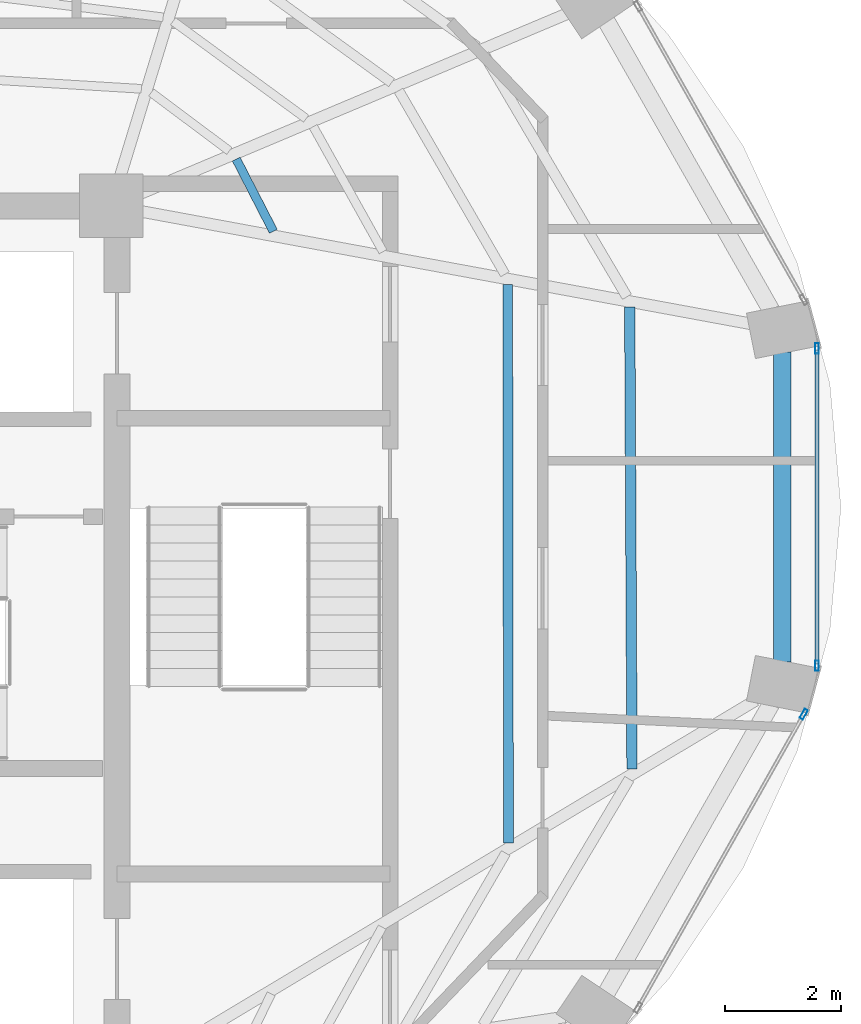
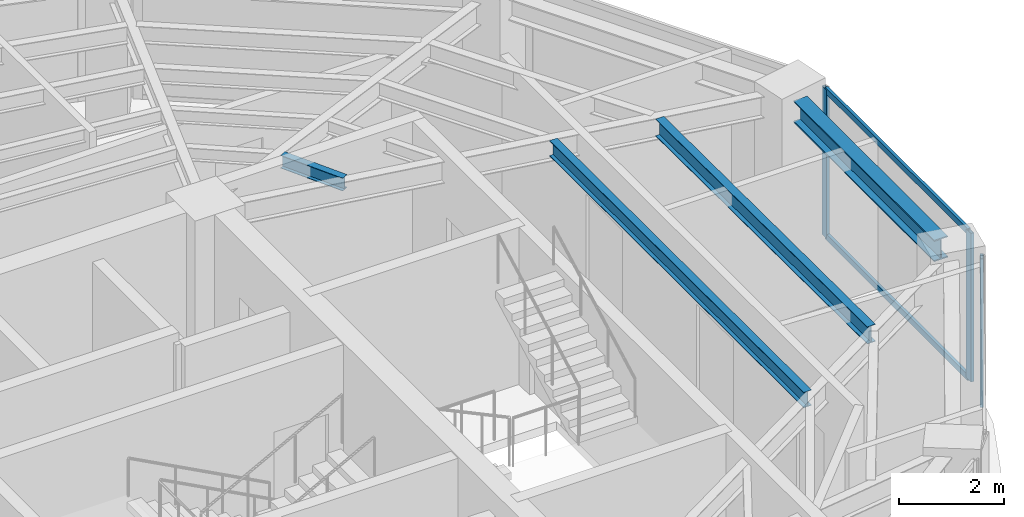
# One storey, part 14 of 23: 5 members, 4 beams, 2 elements without a shape of their own.
"""IFC4 building model written with IfcOpenShell, lengths in metres."""

from ifc_helpers import new_model, si_unit, direction, frame, origin, origin_2d, place, context, subcontext, project, spatial, hollow_rectangle, i_section, extrude, material, layer, layer_set, material_profile, profile_set, type_object, element, aggregate, save


model = new_model("IFC4")

# Units and contexts
model_context = context("Model", 3, precision=1e-05, world=origin(), true_north=direction((0.0, 1.0)))
body_context = subcontext(model_context, "Body", "Model", "MODEL_VIEW")
ifc_project = project(units=[si_unit("LENGTHUNIT", "METRE"), si_unit("AREAUNIT", "SQUARE_METRE"), si_unit("VOLUMEUNIT", "CUBIC_METRE"), si_unit("PLANEANGLEUNIT", "RADIAN"), si_unit("MASSUNIT", "GRAM", prefix="KILO")], contexts=[model_context])

# Site, building, storey
site_placement = place(None, origin())
site = spatial("IfcSite", under=ifc_project, at=site_placement, CompositionType="ELEMENT")
building_placement = place(site_placement, origin())
building = spatial("IfcBuilding", under=site, at=building_placement, Name="Lazwardi Medical Tower", CompositionType="ELEMENT")
storey_placement = place(building_placement, frame((0.0, 0.0, 262.320068359375)))
storey = spatial("IfcBuildingStorey", under=building, at=storey_placement, Name="L68", CompositionType="ELEMENT", Elevation=262.320068359375)

# Beams
ifc_material_1 = material(Name="Steel S355", Category="steel")
ifc_material_profile_1 = material_profile(ifc_material_1, i_section(OverallWidth=0.300048828125, OverallDepth=0.5, WebThickness=0.014404296875, FlangeThickness=0.028076171875, at=origin_2d()), Name="HEB 500")
ifc_profile_set_1 = profile_set([ifc_material_profile_1], Name="Steel S355")
beam_type_1 = type_object("IfcBeamType", Name="BM-RB-Z4", PredefinedType="BEAM", material=ifc_profile_set_1)
beam_1_placement = place(storey_placement, frame((57.18505859375, 27.72705078125, 3.197998046875), z_axis=(0.0, 1.0, 0.0), x_axis=(-1.0, 0.0, 0.0)))
element("IfcBeam", 1, at=beam_1_placement, inside=storey, type_object=beam_type_1, Name="Ring beam RB-05 B04 L68", PredefinedType="BEAM", context=body_context, shape_type="SweptSolid", body=[
    extrude(i_section(OverallWidth=0.300048828125, OverallDepth=0.5, WebThickness=0.014404296875, FlangeThickness=0.028076171875, at=origin_2d()), origin(), (0.0, 0.0, 1.0), 5.345947265625),
])
ifc_material_profile_2 = material_profile(ifc_material_1, i_section(OverallWidth=0.179931640625, OverallDepth=0.39990234375, WebThickness=0.008544921875, FlangeThickness=0.013427734375, at=origin_2d()), Name="IPE 400")
ifc_profile_set_2 = profile_set([ifc_material_profile_2], Name="Steel S355")
beam_type_2 = type_object("IfcBeamType", Name="BM-SJ-01", PredefinedType="JOIST", material=ifc_profile_set_2)
beam_2_placement = place(storey_placement, frame((54.592041015625, 25.879638671875, 3.248046875), z_axis=(-0.004929366644, 0.999987850598, 0.0), x_axis=(-0.999987850598, -0.004929366644, 0.0)))
element("IfcBeam", 2, at=beam_2_placement, inside=storey, type_object=beam_type_2, Name="Secondary joist SJ-01 R1 B04 L68", PredefinedType="JOIST", context=body_context, shape_type="SweptSolid", body=[
    extrude(i_section(OverallWidth=0.179931640625, OverallDepth=0.39990234375, WebThickness=0.008544921875, FlangeThickness=0.013427734375, at=origin_2d()), origin(), (0.0, 0.0, 1.0), 7.973876953125),
])
ifc_material_profile_3 = material_profile(ifc_material_1, i_section(OverallWidth=0.169921875, OverallDepth=0.360107421875, WebThickness=0.008056640625, FlangeThickness=0.0126953125, at=origin_2d()), Name="IPE 360")
ifc_profile_set_3 = profile_set([ifc_material_profile_3], Name="Steel S355")
beam_type_3 = type_object("IfcBeamType", Name="BM-SJ-02", PredefinedType="JOIST", material=ifc_profile_set_3)
beam_3_placement = place(storey_placement, frame((52.458984375, 24.602294921875, 3.267822265625), z_axis=(-0.001367606673, 0.999999064826, 0.0), x_axis=(-0.999999064826, -0.001367606673, 0.0)))
element("IfcBeam", 3, at=beam_3_placement, inside=storey, type_object=beam_type_3, Name="Secondary joist SJ-02 R2 B04 L68", PredefinedType="JOIST", context=body_context, shape_type="SweptSolid", body=[
    extrude(i_section(OverallWidth=0.169921875, OverallDepth=0.360107421875, WebThickness=0.008056640625, FlangeThickness=0.0126953125, at=origin_2d()), origin(), (0.0, 0.0, 1.0), 9.639892578125),
])
ifc_material_profile_4 = material_profile(ifc_material_1, i_section(OverallWidth=0.14990234375, OverallDepth=0.300048828125, WebThickness=0.007080078125, FlangeThickness=0.0107421875, at=origin_2d()), Name="IPE 300")
ifc_profile_set_4 = profile_set([ifc_material_profile_4], Name="Steel S355")
beam_type_4 = type_object("IfcBeamType", Name="BM-SJ-03", PredefinedType="JOIST", material=ifc_profile_set_4)
beam_4_placement = place(storey_placement, frame((48.39990234375, 35.159912109375, 3.2978515625), z_axis=(-0.457285056668, 0.889320176848, 0.0), x_axis=(-0.889320176848, -0.457285056668, 0.0)))
element("IfcBeam", 4, at=beam_4_placement, inside=storey, type_object=beam_type_4, Name="Secondary joist SJ-03 R4 B05 L68", PredefinedType="JOIST", context=body_context, shape_type="SweptSolid", body=[
    extrude(i_section(OverallWidth=0.14990234375, OverallDepth=0.300048828125, WebThickness=0.007080078125, FlangeThickness=0.0107421875, at=origin_2d()), origin(), (0.0, 0.0, 1.0), 1.402099609375),
])

# Curtain wall, member
ifc_material_2 = material(Name="Anodised bronze aluminium and solar control glazing", Category="aluminium")
ifc_layer = layer(ifc_material_2, 0.18994140625)
ifc_layer_set = layer_set([ifc_layer], Name="Anodised bronze aluminium and solar control glazing")
curtain_wall_type = type_object("IfcCurtainWallType", Name="CW-SYS-04", PredefinedType="NOTDEFINED", material=ifc_layer_set)
curtain_wall_1_placement = place(storey_placement, origin())
curtain_wall_1 = element("IfcCurtainWall", 5, at=curtain_wall_1_placement, inside=storey, type_object=curtain_wall_type, Name="L68 Unitised bronze curtain wall CW-04", PredefinedType="NOTDEFINED")
ifc_material_3 = material(Name="Anodised bronze aluminium", Category="aluminium")
ifc_material_profile_5 = material_profile(ifc_material_3, hollow_rectangle(XDim=0.06494140625, YDim=0.179931640625, WallThickness=0.00390625, at=origin_2d()), Name="ALU-MULLION 180x65x4")
ifc_profile_set_5 = profile_set([ifc_material_profile_5], Name="Anodised bronze aluminium")
member_type_1 = type_object("IfcMemberType", Name="CW-MUL-03", PredefinedType="MULLION", material=ifc_profile_set_5)
member_1_placement = place(storey_placement, frame((57.557373046875, 26.82177734375, 0.0), z_axis=(0.0, 0.0, 1.0), x_axis=(-0.870651436011, 0.491900474661, 0.0)))
member_1 = element("IfcMember", 6, at=member_1_placement, type_object=member_type_1, Name="CW-04 mullion 2", PredefinedType="MULLION", context=body_context, shape_type="SweptSolid", body=[
    extrude(hollow_rectangle(XDim=0.06494140625, YDim=0.179931640625, WallThickness=0.00390625, at=origin_2d()), origin(), (0.0, 0.0, 1.0), 3.447998046875),
])
aggregate(curtain_wall_1, [member_1])

# Curtain wall, members
curtain_wall_2_placement = place(storey_placement, origin())
curtain_wall_2 = element("IfcCurtainWall", 7, at=curtain_wall_2_placement, inside=storey, type_object=curtain_wall_type, Name="L68 Unitised bronze curtain wall CW-04", PredefinedType="NOTDEFINED")
member_2_placement = place(storey_placement, frame((57.7841796875, 27.659423828125, 0.0), z_axis=(0.0, 0.0, 1.0), x_axis=(-1.0, 0.0, 0.0)))
member_2 = element("IfcMember", 8, at=member_2_placement, type_object=member_type_1, Name="CW-04 mullion 1", PredefinedType="MULLION", context=body_context, shape_type="SweptSolid", body=[
    extrude(hollow_rectangle(XDim=0.06494140625, YDim=0.179931640625, WallThickness=0.00390625, at=origin_2d()), origin(), (0.0, 0.0, 1.0), 3.447998046875),
])
member_3_placement = place(storey_placement, frame((57.7841796875, 33.140380859375, 0.0), z_axis=(0.0, 0.0, 1.0), x_axis=(-1.0, 0.0, 0.0)))
member_3 = element("IfcMember", 9, at=member_3_placement, type_object=member_type_1, Name="CW-04 mullion 2", PredefinedType="MULLION", context=body_context, shape_type="SweptSolid", body=[
    extrude(hollow_rectangle(XDim=0.06494140625, YDim=0.179931640625, WallThickness=0.00390625, at=origin_2d()), origin(), (0.0, 0.0, 1.0), 3.447998046875),
])
ifc_material_profile_6 = material_profile(ifc_material_3, hollow_rectangle(XDim=0.06494140625, YDim=0.139892578125, WallThickness=0.00341796875, at=origin_2d()), Name="ALU-TRANSOM 140x65x3.5")
ifc_profile_set_6 = profile_set([ifc_material_profile_6], Name="Anodised bronze aluminium")
member_type_2 = type_object("IfcMemberType", Name="CW-TRN-03", PredefinedType="USERDEFINED", material=ifc_profile_set_6)
member_4_placement = place(storey_placement, frame((57.7841796875, 27.69189453125, 0.032470703125), z_axis=(0.0, 1.0, 0.0), x_axis=(-1.0, 0.0, 0.0)))
member_4 = element("IfcMember", 10, at=member_4_placement, type_object=member_type_2, Name="CW-04 transom 1.1", ObjectType="TRANSOM", PredefinedType="USERDEFINED", context=body_context, shape_type="SweptSolid", body=[
    extrude(hollow_rectangle(XDim=0.06494140625, YDim=0.139892578125, WallThickness=0.00341796875, at=origin_2d()), origin(), (0.0, 0.0, 1.0), 5.416015625),
])
member_5_placement = place(storey_placement, frame((57.7841796875, 27.69189453125, 3.41552734375), z_axis=(0.0, 1.0, 0.0), x_axis=(-1.0, 0.0, 0.0)))
member_5 = element("IfcMember", 11, at=member_5_placement, type_object=member_type_2, Name="CW-04 transom 1.2", ObjectType="TRANSOM", PredefinedType="USERDEFINED", context=body_context, shape_type="SweptSolid", body=[
    extrude(hollow_rectangle(XDim=0.06494140625, YDim=0.139892578125, WallThickness=0.00341796875, at=origin_2d()), origin(), (0.0, 0.0, 1.0), 5.416015625),
])
aggregate(curtain_wall_2, [member_2, member_3, member_4, member_5])

save(model, "model.ifc")
